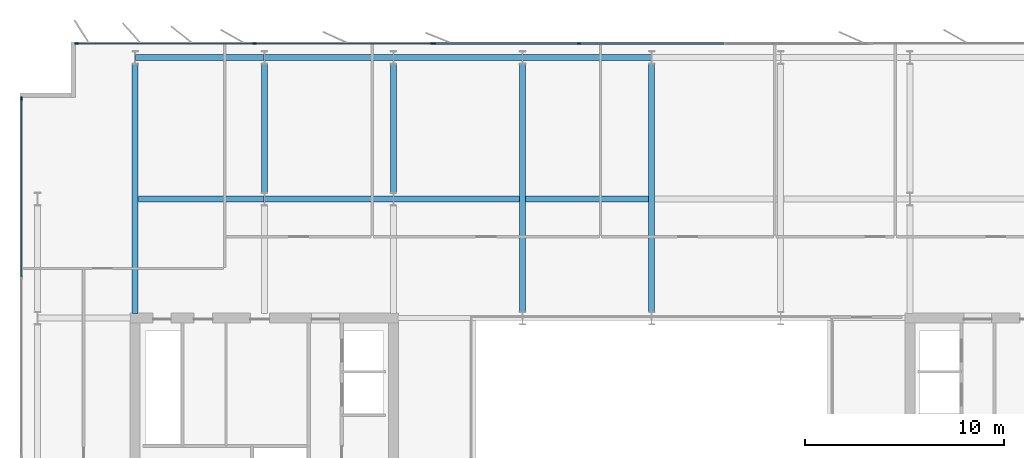
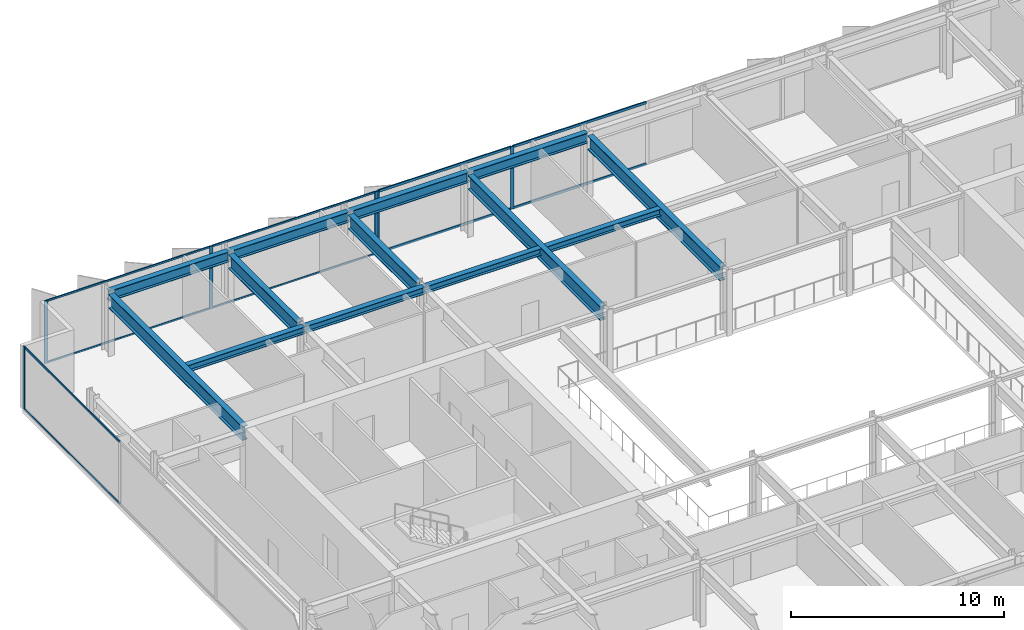
# One storey, part 8 of 19: 16 members, 13 beams, 3 elements without a shape of their own.
"""IFC4 building model written with IfcOpenShell, lengths in metres."""

from ifc_helpers import new_model, si_unit, direction, frame, origin, origin_2d, place, context, subcontext, project, spatial, rectangle, i_section, extrude, material, layer, layer_set, material_profile, profile_set, type_object, element, aggregate, save


model = new_model("IFC4")

# Units and contexts
model_context = context("Model", 3, precision=1e-05, world=origin(), true_north=direction((0.0, 1.0)))
body_context = subcontext(model_context, "Body", "Model", "MODEL_VIEW")
ifc_project = project(units=[si_unit("LENGTHUNIT", "METRE"), si_unit("AREAUNIT", "SQUARE_METRE"), si_unit("VOLUMEUNIT", "CUBIC_METRE"), si_unit("PLANEANGLEUNIT", "RADIAN"), si_unit("MASSUNIT", "GRAM", prefix="KILO")], contexts=[model_context])

# Site, building, storey
site_placement = place(None, origin())
site = spatial("IfcSite", under=ifc_project, at=site_placement, CompositionType="ELEMENT")
building_placement = place(site_placement, origin())
building = spatial("IfcBuilding", under=site, at=building_placement, Name="Putna Gate Headquarters", CompositionType="ELEMENT")
storey_placement = place(building_placement, frame((0.0, 0.0, 267.0)))
storey = spatial("IfcBuildingStorey", under=building, at=storey_placement, Name="L67", CompositionType="ELEMENT", Elevation=267.0)

# Beams
ifc_material_1 = material(Name="Steel S355J2", Category="steel")
ifc_material_profile_1 = material_profile(ifc_material_1, i_section(OverallWidth=0.300048828125, OverallDepth=0.800048828125, WebThickness=0.017578125, FlangeThickness=0.032958984375, at=origin_2d()), Name="Steel S355J2")
ifc_profile_set_1 = profile_set([ifc_material_profile_1], Name="Steel S355J2")
beam_type_1 = type_object("IfcBeamType", Name="BM-GIRD-P-HEB800", PredefinedType="USERDEFINED", material=ifc_profile_set_1)
beam_1_placement = place(storey_placement, frame((13.0, 33.235107421875, 3.18798828125), z_axis=(0.0, 1.0, 0.0), x_axis=(-1.0, 0.0, 0.0)))
element("IfcBeam", 1, at=beam_1_placement, inside=storey, type_object=beam_type_1, Name="L67 North Primary Girder X13", ObjectType="GIRDER", PredefinedType="USERDEFINED", context=body_context, shape_type="SweptSolid", body=[
    extrude(i_section(OverallWidth=0.300048828125, OverallDepth=0.800048828125, WebThickness=0.017578125, FlangeThickness=0.032958984375, at=origin_2d()), origin(), (0.0, 0.0, 1.0), 12.56298828125),
])
for number, where, z_axis, x_axis, name in (
    (2, (19.5, 39.322021484375, 3.18798828125), (0.0, 1.0, 0.0), (-1.0, 0.0, 0.0), "L67 North Primary Girder X19-2"),
    (3, (26.0, 39.322021484375, 3.18798828125), (0.0, 1.0, 0.0), (-1.0, 0.0, 0.0), "L67 North Primary Girder X26-2"),
):
    element("IfcBeam", number, at=place(storey_placement, frame(where, z_axis=z_axis, x_axis=x_axis)), inside=storey, type_object=beam_type_1, Name=name, ObjectType="GIRDER", PredefinedType="USERDEFINED", context=body_context, shape_type="SweptSolid", body=[
        extrude(i_section(OverallWidth=0.300048828125, OverallDepth=0.800048828125, WebThickness=0.017578125, FlangeThickness=0.032958984375, at=origin_2d()), origin(), (0.0, 0.0, 1.0), 6.47607421875),
    ])
for number, where, z_axis, x_axis, name in (
    (4, (32.5, 33.322021484375, 3.18798828125), (0.0, 1.0, 0.0), (-1.0, 0.0, 0.0), "L67 North Primary Girder X32"),
    (5, (39.0, 33.322021484375, 3.18798828125), (0.0, 1.0, 0.0), (-1.0, 0.0, 0.0), "L67 North Primary Girder X39"),
):
    element("IfcBeam", number, at=place(storey_placement, frame(where, z_axis=z_axis, x_axis=x_axis)), inside=storey, type_object=beam_type_1, Name=name, ObjectType="GIRDER", PredefinedType="USERDEFINED", context=body_context, shape_type="SweptSolid", body=[
        extrude(i_section(OverallWidth=0.300048828125, OverallDepth=0.800048828125, WebThickness=0.017578125, FlangeThickness=0.032958984375, at=origin_2d()), origin(), (0.0, 0.0, 1.0), 12.47607421875),
    ])
ifc_material_profile_2 = material_profile(ifc_material_1, i_section(OverallWidth=0.300048828125, OverallDepth=0.389892578125, WebThickness=0.010986328125, FlangeThickness=0.01904296875, at=origin_2d()), Name="Steel S355J2")
ifc_profile_set_2 = profile_set([ifc_material_profile_2], Name="Steel S355J2")
beam_type_2 = type_object("IfcBeamType", Name="BM-SEC-Z5-HEA400", PredefinedType="BEAM", material=ifc_profile_set_2)
beam_2_placement = place(storey_placement, frame((13.154052734375, 39.0, 3.39306640625), z_axis=(1.0, 0.0, 0.0), x_axis=(0.0, 1.0, 0.0)))
element("IfcBeam", 6, at=beam_2_placement, inside=storey, type_object=beam_type_2, Name="L67 North Secondary Beam 1", PredefinedType="BEAM", context=body_context, shape_type="SweptSolid", body=[
    extrude(i_section(OverallWidth=0.300048828125, OverallDepth=0.389892578125, WebThickness=0.010986328125, FlangeThickness=0.01904296875, at=origin_2d()), origin(), (0.0, 0.0, 1.0), 6.33984375),
])
beam_3_placement = place(storey_placement, frame((19.506103515625, 39.0, 3.39306640625), z_axis=(1.0, 0.0, 0.0), x_axis=(0.0, 1.0, 0.0)))
element("IfcBeam", 7, at=beam_3_placement, inside=storey, type_object=beam_type_2, Name="L67 North Secondary Beam 2", PredefinedType="BEAM", context=body_context, shape_type="SweptSolid", body=[
    extrude(i_section(OverallWidth=0.300048828125, OverallDepth=0.389892578125, WebThickness=0.010986328125, FlangeThickness=0.01904296875, at=origin_2d()), origin(), (0.0, 0.0, 1.0), 6.48779296875),
])
beam_4_placement = place(storey_placement, frame((26.006103515625, 39.0, 3.39306640625), z_axis=(1.0, 0.0, 0.0), x_axis=(0.0, 1.0, 0.0)))
element("IfcBeam", 8, at=beam_4_placement, inside=storey, type_object=beam_type_2, Name="L67 North Secondary Beam 3", PredefinedType="BEAM", context=body_context, shape_type="SweptSolid", body=[
    extrude(i_section(OverallWidth=0.300048828125, OverallDepth=0.389892578125, WebThickness=0.010986328125, FlangeThickness=0.01904296875, at=origin_2d()), origin(), (0.0, 0.0, 1.0), 6.33984375),
])
beam_5_placement = place(storey_placement, frame((32.654052734375, 39.0, 3.39306640625), z_axis=(1.0, 0.0, 0.0), x_axis=(0.0, 1.0, 0.0)))
element("IfcBeam", 9, at=beam_5_placement, inside=storey, type_object=beam_type_2, Name="L67 North Secondary Beam 4", PredefinedType="BEAM", context=body_context, shape_type="SweptSolid", body=[
    extrude(i_section(OverallWidth=0.300048828125, OverallDepth=0.389892578125, WebThickness=0.010986328125, FlangeThickness=0.01904296875, at=origin_2d()), origin(), (0.0, 0.0, 1.0), 6.19189453125),
])
ifc_material_profile_3 = material_profile(ifc_material_1, i_section(OverallWidth=0.300048828125, OverallDepth=0.590087890625, WebThickness=0.012939453125, FlangeThickness=0.02490234375, at=origin_2d()), Name="Steel S355J2")
ifc_profile_set_3 = profile_set([ifc_material_profile_3], Name="Steel S355J2")
beam_type_3 = type_object("IfcBeamType", Name="BM-SPAN-Z4-HEA600", PredefinedType="SPANDREL", material=ifc_profile_set_3)
for number, where, z_axis, x_axis, name in (
    (10, (13.006103515625, 46.1201171875, 3.29296875), (1.0, 0.0, 0.0), (0.0, 1.0, 0.0), "L67 N Perimeter Spandrel 1"),
    (11, (19.506103515625, 46.1201171875, 3.29296875), (1.0, 0.0, 0.0), (0.0, 1.0, 0.0), "L67 N Perimeter Spandrel 2"),
    (12, (26.006103515625, 46.1201171875, 3.29296875), (1.0, 0.0, 0.0), (0.0, 1.0, 0.0), "L67 N Perimeter Spandrel 3"),
    (13, (32.506103515625, 46.1201171875, 3.29296875), (1.0, 0.0, 0.0), (0.0, 1.0, 0.0), "L67 N Perimeter Spandrel 4"),
):
    element("IfcBeam", number, at=place(storey_placement, frame(where, z_axis=z_axis, x_axis=x_axis)), inside=storey, type_object=beam_type_3, Name=name, PredefinedType="SPANDREL", context=body_context, shape_type="SweptSolid", body=[
        extrude(i_section(OverallWidth=0.300048828125, OverallDepth=0.590087890625, WebThickness=0.012939453125, FlangeThickness=0.02490234375, at=origin_2d()), origin(), (0.0, 0.0, 1.0), 6.48779296875),
    ])

# Curtain wall, members
ifc_material_2 = material(Name="Anodised bronze aluminium curtain wall", Category="aluminium")
ifc_layer_1 = layer(ifc_material_2, 0.179931640625)
ifc_layer_set_1 = layer_set([ifc_layer_1], Name="Anodised bronze aluminium curtain wall")
curtain_wall_type_1 = type_object("IfcCurtainWallType", Name="CW-SYS-Z5", PredefinedType="USERDEFINED", material=ifc_layer_set_1)
curtain_wall_1_placement = place(storey_placement, origin())
curtain_wall_1 = element("IfcCurtainWall", 14, at=curtain_wall_1_placement, inside=storey, type_object=curtain_wall_type_1, Name="L67 North West Curtain Wall", ObjectType="STICK CURTAIN WALL", PredefinedType="USERDEFINED")
ifc_material_3 = material(Name="Anodised bronze aluminium EN AW-6060", Category="aluminium")
ifc_material_profile_4 = material_profile(ifc_material_3, rectangle(XDim=0.070068359375, YDim=0.179931640625, at=origin_2d()), Name="Anodised bronze aluminium EN AW-6060")
ifc_profile_set_4 = profile_set([ifc_material_profile_4], Name="Anodised bronze aluminium EN AW-6060")
member_type_1 = type_object("IfcMemberType", Name="MULL-CWM-5", PredefinedType="MULLION", material=ifc_profile_set_4)
member_1_placement = place(storey_placement, frame((10.034912109375, 46.820068359375, 0.0), z_axis=(0.0, 0.0, 1.0), x_axis=(0.0, 1.0, 0.0)))
member_1 = element("IfcMember", 15, at=member_1_placement, type_object=member_type_1, Name="CWS-5 mullion 1", PredefinedType="MULLION", context=body_context, shape_type="SweptSolid", body=[
    extrude(rectangle(XDim=0.070068359375, YDim=0.179931640625, at=origin_2d()), origin(), (0.0, 0.0, 1.0), 3.587890625),
])
member_2_placement = place(storey_placement, frame((19.0, 46.820068359375, 0.0), z_axis=(0.0, 0.0, 1.0), x_axis=(0.0, 1.0, 0.0)))
member_2 = element("IfcMember", 16, at=member_2_placement, type_object=member_type_1, Name="CWS-5 mullion 2", PredefinedType="MULLION", context=body_context, shape_type="SweptSolid", body=[
    extrude(rectangle(XDim=0.070068359375, YDim=0.179931640625, at=origin_2d()), origin(), (0.0, 0.0, 1.0), 3.587890625),
])
member_3_placement = place(storey_placement, frame((27.965087890625, 46.820068359375, 0.0), z_axis=(0.0, 0.0, 1.0), x_axis=(0.0, 1.0, 0.0)))
member_3 = element("IfcMember", 17, at=member_3_placement, type_object=member_type_1, Name="CWS-5 mullion 3", PredefinedType="MULLION", context=body_context, shape_type="SweptSolid", body=[
    extrude(rectangle(XDim=0.070068359375, YDim=0.179931640625, at=origin_2d()), origin(), (0.0, 0.0, 1.0), 3.587890625),
])

# Curtain wall, member
curtain_wall_2_placement = place(storey_placement, origin())
curtain_wall_2 = element("IfcCurtainWall", 18, at=curtain_wall_2_placement, inside=storey, type_object=curtain_wall_type_1, Name="L67 West Curtain Wall", ObjectType="STICK CURTAIN WALL", PredefinedType="USERDEFINED")
member_4_placement = place(storey_placement, frame((7.280029296875, 44.06494140625, 0.0), z_axis=(0.0, 0.0, 1.0), x_axis=(-1.0, 0.0, 0.0)))
member_4 = element("IfcMember", 19, at=member_4_placement, type_object=member_type_1, Name="CWS-5 mullion 5", PredefinedType="MULLION", context=body_context, shape_type="SweptSolid", body=[
    extrude(rectangle(XDim=0.070068359375, YDim=0.179931640625, at=origin_2d()), origin(), (0.0, 0.0, 1.0), 3.587890625),
])

# Curtain wall, members
ifc_layer_2 = layer(ifc_material_2, 0.179931640625)
ifc_layer_set_2 = layer_set([ifc_layer_2], Name="Anodised bronze aluminium curtain wall")
curtain_wall_type_2 = type_object("IfcCurtainWallType", Name="CW-SYS-ATR", PredefinedType="USERDEFINED", material=ifc_layer_set_2)
curtain_wall_3_placement = place(storey_placement, origin())
curtain_wall_3 = element("IfcCurtainWall", 20, at=curtain_wall_3_placement, inside=storey, type_object=curtain_wall_type_2, Name="L67 North Atrium Clear Glazing", ObjectType="ATRIUM GLAZING", PredefinedType="USERDEFINED")
ifc_material_profile_5 = material_profile(ifc_material_3, rectangle(XDim=0.070068359375, YDim=0.179931640625, at=origin_2d()), Name="Anodised bronze aluminium EN AW-6060")
ifc_profile_set_5 = profile_set([ifc_material_profile_5], Name="Anodised bronze aluminium EN AW-6060")
member_type_2 = type_object("IfcMemberType", Name="MULL-CWM-AT", PredefinedType="MULLION", material=ifc_profile_set_5)
member_5_placement = place(storey_placement, frame((28.034912109375, 46.820068359375, 0.0), z_axis=(0.0, 0.0, 1.0), x_axis=(0.0, 1.0, 0.0)))
member_5 = element("IfcMember", 21, at=member_5_placement, type_object=member_type_2, Name="CWS-AT mullion 1", PredefinedType="MULLION", context=body_context, shape_type="SweptSolid", body=[
    extrude(rectangle(XDim=0.070068359375, YDim=0.179931640625, at=origin_2d()), origin(), (0.0, 0.0, 1.0), 3.587890625),
])
member_6_placement = place(storey_placement, frame((35.333251953125, 46.820068359375, 0.0), z_axis=(0.0, 0.0, 1.0), x_axis=(0.0, 1.0, 0.0)))
member_6 = element("IfcMember", 22, at=member_6_placement, type_object=member_type_2, Name="CWS-AT mullion 2", PredefinedType="MULLION", context=body_context, shape_type="SweptSolid", body=[
    extrude(rectangle(XDim=0.070068359375, YDim=0.179931640625, at=origin_2d()), origin(), (0.0, 0.0, 1.0), 3.587890625),
])

# Member
ifc_material_profile_6 = material_profile(ifc_material_3, rectangle(XDim=0.06005859375, YDim=0.10009765625, at=origin_2d()), Name="Anodised bronze aluminium EN AW-6060")
ifc_profile_set_6 = profile_set([ifc_material_profile_6], Name="Anodised bronze aluminium EN AW-6060")
member_type_3 = type_object("IfcMemberType", Name="TRAN-CWT-5", PredefinedType="USERDEFINED", material=ifc_profile_set_6)
member_7_placement = place(storey_placement, frame((10.070068359375, 46.820068359375, 0.030029296875), z_axis=(1.0, 0.0, 0.0), x_axis=(0.0, 1.0, 0.0)))
member_7 = element("IfcMember", 23, at=member_7_placement, type_object=member_type_3, Name="CWS-5 transom 1.1", ObjectType="TRANSOM", PredefinedType="USERDEFINED", context=body_context, shape_type="SweptSolid", body=[
    extrude(rectangle(XDim=0.06005859375, YDim=0.10009765625, at=origin_2d()), origin(), (0.0, 0.0, 1.0), 8.89501953125),
])

member_8_placement = place(storey_placement, frame((10.070068359375, 46.820068359375, 3.55810546875), z_axis=(1.0, 0.0, 0.0), x_axis=(0.0, 1.0, 0.0)))
member_8 = element("IfcMember", 24, at=member_8_placement, type_object=member_type_3, Name="CWS-5 transom 1.2", ObjectType="TRANSOM", PredefinedType="USERDEFINED", context=body_context, shape_type="SweptSolid", body=[
    extrude(rectangle(XDim=0.06005859375, YDim=0.10009765625, at=origin_2d()), origin(), (0.0, 0.0, 1.0), 8.89501953125),
])

member_9_placement = place(storey_placement, frame((19.034912109375, 46.820068359375, 0.030029296875), z_axis=(1.0, 0.0, 0.0), x_axis=(0.0, 1.0, 0.0)))
member_9 = element("IfcMember", 25, at=member_9_placement, type_object=member_type_3, Name="CWS-5 transom 2.1", ObjectType="TRANSOM", PredefinedType="USERDEFINED", context=body_context, shape_type="SweptSolid", body=[
    extrude(rectangle(XDim=0.06005859375, YDim=0.10009765625, at=origin_2d()), origin(), (0.0, 0.0, 1.0), 8.89501953125),
])

member_10_placement = place(storey_placement, frame((19.034912109375, 46.820068359375, 3.55810546875), z_axis=(1.0, 0.0, 0.0), x_axis=(0.0, 1.0, 0.0)))
member_10 = element("IfcMember", 26, at=member_10_placement, type_object=member_type_3, Name="CWS-5 transom 2.2", ObjectType="TRANSOM", PredefinedType="USERDEFINED", context=body_context, shape_type="SweptSolid", body=[
    extrude(rectangle(XDim=0.06005859375, YDim=0.10009765625, at=origin_2d()), origin(), (0.0, 0.0, 1.0), 8.89501953125),
])

aggregate(curtain_wall_1, [member_1, member_2, member_3, member_7, member_8, member_9, member_10])

member_11_placement = place(storey_placement, frame((7.280029296875, 35.0849609375, 0.030029296875), z_axis=(0.0, 1.0, 0.0), x_axis=(-1.0, 0.0, 0.0)))
member_11 = element("IfcMember", 27, at=member_11_placement, type_object=member_type_3, Name="CWS-5 transom 4.1", ObjectType="TRANSOM", PredefinedType="USERDEFINED", context=body_context, shape_type="SweptSolid", body=[
    extrude(rectangle(XDim=0.06005859375, YDim=0.10009765625, at=origin_2d()), origin(), (0.0, 0.0, 1.0), 8.945068359375),
])

member_12_placement = place(storey_placement, frame((7.280029296875, 35.0849609375, 3.55810546875), z_axis=(0.0, 1.0, 0.0), x_axis=(-1.0, 0.0, 0.0)))
member_12 = element("IfcMember", 28, at=member_12_placement, type_object=member_type_3, Name="CWS-5 transom 4.2", ObjectType="TRANSOM", PredefinedType="USERDEFINED", context=body_context, shape_type="SweptSolid", body=[
    extrude(rectangle(XDim=0.06005859375, YDim=0.10009765625, at=origin_2d()), origin(), (0.0, 0.0, 1.0), 8.945068359375),
])

aggregate(curtain_wall_2, [member_4, member_11, member_12])

ifc_material_profile_7 = material_profile(ifc_material_3, rectangle(XDim=0.070068359375, YDim=0.139892578125, at=origin_2d()), Name="Anodised bronze aluminium EN AW-6060")
ifc_profile_set_7 = profile_set([ifc_material_profile_7], Name="Anodised bronze aluminium EN AW-6060")
member_type_4 = type_object("IfcMemberType", Name="TRAN-CWT-AT", PredefinedType="USERDEFINED", material=ifc_profile_set_7)
member_13_placement = place(storey_placement, frame((28.070068359375, 46.820068359375, 0.034912109375), z_axis=(1.0, 0.0, 0.0), x_axis=(0.0, 1.0, 0.0)))
member_13 = element("IfcMember", 29, at=member_13_placement, type_object=member_type_4, Name="CWS-AT transom 1.1", ObjectType="TRANSOM", PredefinedType="USERDEFINED", context=body_context, shape_type="SweptSolid", body=[
    extrude(rectangle(XDim=0.070068359375, YDim=0.139892578125, at=origin_2d()), origin(), (0.0, 0.0, 1.0), 7.228271484375),
])

member_14_placement = place(storey_placement, frame((28.070068359375, 46.820068359375, 3.552978515625), z_axis=(1.0, 0.0, 0.0), x_axis=(0.0, 1.0, 0.0)))
member_14 = element("IfcMember", 30, at=member_14_placement, type_object=member_type_4, Name="CWS-AT transom 1.2", ObjectType="TRANSOM", PredefinedType="USERDEFINED", context=body_context, shape_type="SweptSolid", body=[
    extrude(rectangle(XDim=0.070068359375, YDim=0.139892578125, at=origin_2d()), origin(), (0.0, 0.0, 1.0), 7.228271484375),
])

member_15_placement = place(storey_placement, frame((35.368408203125, 46.820068359375, 0.034912109375), z_axis=(1.0, 0.0, 0.0), x_axis=(0.0, 1.0, 0.0)))
member_15 = element("IfcMember", 31, at=member_15_placement, type_object=member_type_4, Name="CWS-AT transom 2.1", ObjectType="TRANSOM", PredefinedType="USERDEFINED", context=body_context, shape_type="SweptSolid", body=[
    extrude(rectangle(XDim=0.070068359375, YDim=0.139892578125, at=origin_2d()), origin(), (0.0, 0.0, 1.0), 7.26318359375),
])

member_16_placement = place(storey_placement, frame((35.368408203125, 46.820068359375, 3.552978515625), z_axis=(1.0, 0.0, 0.0), x_axis=(0.0, 1.0, 0.0)))
member_16 = element("IfcMember", 32, at=member_16_placement, type_object=member_type_4, Name="CWS-AT transom 2.2", ObjectType="TRANSOM", PredefinedType="USERDEFINED", context=body_context, shape_type="SweptSolid", body=[
    extrude(rectangle(XDim=0.070068359375, YDim=0.139892578125, at=origin_2d()), origin(), (0.0, 0.0, 1.0), 7.26318359375),
])

aggregate(curtain_wall_3, [member_5, member_6, member_13, member_14, member_15, member_16])

save(model, "model.ifc")
